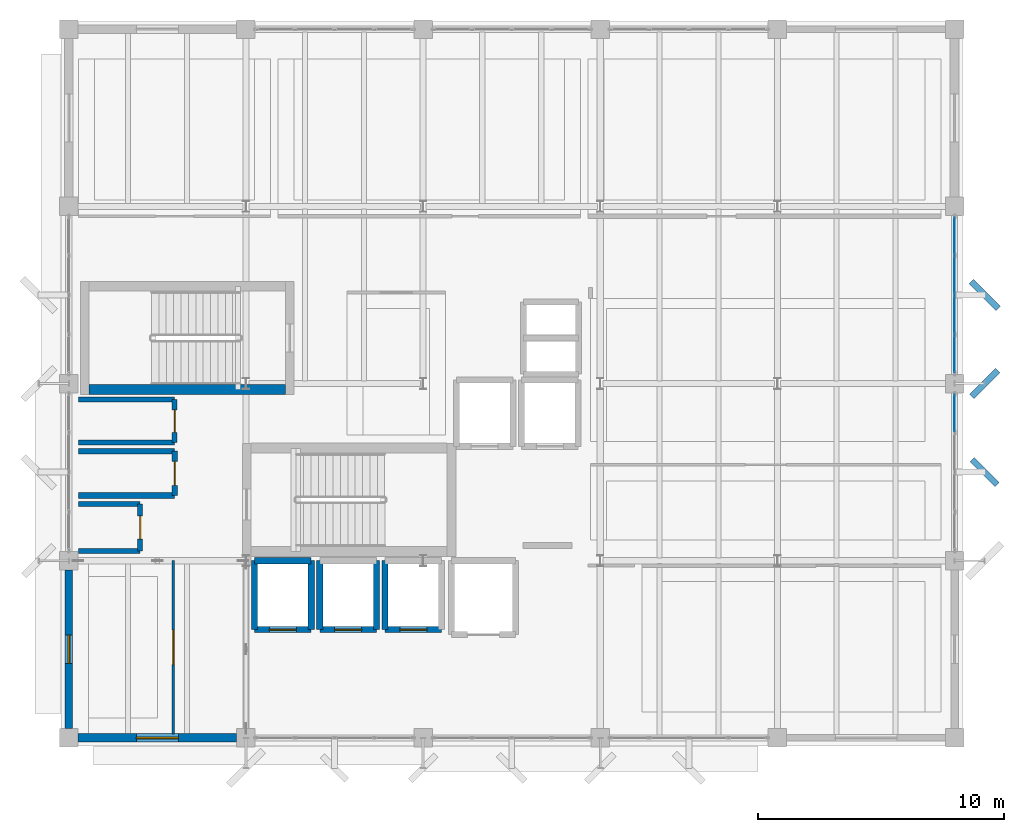
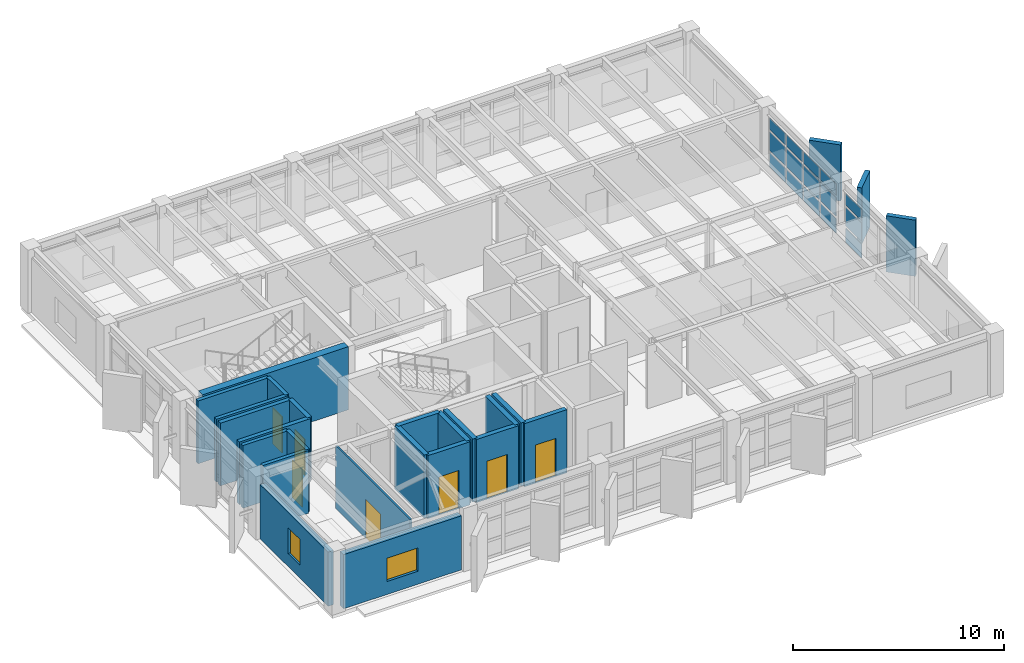
# One storey, part 16 of 24: 22 walls, 18 plates, 7 doors, 2 windows, 9 openings, 2 elements without a shape of their own.
"""IFC4 building model written with IfcOpenShell, lengths in metres."""

from ifc_helpers import new_model, si_unit, direction, frame, frame_2d, origin, origin_2d, place, context, subcontext, project, spatial, rectangle, extrude, material, layer, layer_set, type_object, element, fill, aggregate, save


model = new_model("IFC4")

# Units and contexts
model_context = context("Model", 3, precision=1e-05, world=origin(), true_north=direction((0.0, 1.0)))
body_context = subcontext(model_context, "Body", "Model", "MODEL_VIEW")
ifc_project = project(units=[si_unit("LENGTHUNIT", "METRE"), si_unit("AREAUNIT", "SQUARE_METRE"), si_unit("VOLUMEUNIT", "CUBIC_METRE"), si_unit("PLANEANGLEUNIT", "RADIAN"), si_unit("MASSUNIT", "GRAM", prefix="KILO")], contexts=[model_context])

# Site, building, storey
site_placement = place(None, origin())
site = spatial("IfcSite", under=ifc_project, at=site_placement, CompositionType="ELEMENT")
building_placement = place(site_placement, origin())
building = spatial("IfcBuilding", under=site, at=building_placement, Name="Kandorven Conservatory and Botanical Research Centre", CompositionType="ELEMENT")
storey_placement = place(building_placement, frame((0.0, 0.0, 24.89990234375)))
storey = spatial("IfcBuildingStorey", under=building, at=storey_placement, Name="L06", CompositionType="ELEMENT", Elevation=24.89990234375)

# Curtain wall, plates
ifc_material_1 = material(Name="Bronze anodised thermally broken aluminium", Category="aluminium")
ifc_layer_1 = layer(ifc_material_1, 0.179931640625)
ifc_layer_set_1 = layer_set([ifc_layer_1], Name="Bronze anodised thermally broken aluminium")
curtain_wall_type = type_object("IfcCurtainWallType", Name="CW_Unitised", PredefinedType="USERDEFINED", material=ifc_layer_set_1)
curtain_wall_1_placement = place(storey_placement, origin())
curtain_wall_1 = element("IfcCurtainWall", 1, at=curtain_wall_1_placement, inside=storey, type_object=curtain_wall_type, Name="Tower laboratory curtain wall CW-TWR-E-L06-2", ObjectType="UNITISED GLAZING", PredefinedType="USERDEFINED")
ifc_material_2 = material(Name="Double-glazed solar-control low-E glass", Category="glass")
ifc_layer_2 = layer(ifc_material_2, 0.028076171875)
ifc_layer_set_2 = layer_set([ifc_layer_2], Name="Double-glazed solar-control low-E glass")
plate_type_1 = type_object("IfcPlateType", Name="CW_Panel", PredefinedType="CURTAIN_PANEL", material=ifc_layer_set_2)
plate_1_placement = place(storey_placement, frame((42.0, 19.19873046875, 0.14990234375), z_axis=(0.0, 0.0, 1.0), x_axis=(0.0, 1.0, 0.0)))
plate_1 = element("IfcPlate", 2, at=plate_1_placement, type_object=plate_type_1, Name="CW-01 panel 4.1", PredefinedType="CURTAIN_PANEL", context=body_context, shape_type="SweptSolid", body=[
    extrude(rectangle(XDim=1.492431640625, YDim=0.028076171875, at=origin_2d()), origin(), (0.0, 0.0, 1.0), 0.824951171875),
])
plate_2_placement = place(storey_placement, frame((42.0, 19.19873046875, 1.125), z_axis=(0.0, 0.0, 1.0), x_axis=(0.0, 1.0, 0.0)))
plate_2 = element("IfcPlate", 3, at=plate_2_placement, type_object=plate_type_1, Name="CW-01 panel 4.2", PredefinedType="CURTAIN_PANEL", context=body_context, shape_type="SweptSolid", body=[
    extrude(rectangle(XDim=1.492431640625, YDim=0.028076171875, at=origin_2d()), origin(), (0.0, 0.0, 1.0), 1.050048828125),
])
plate_3_placement = place(storey_placement, frame((42.0, 19.19873046875, 2.3251953125), z_axis=(0.0, 0.0, 1.0), x_axis=(0.0, 1.0, 0.0)))
plate_3 = element("IfcPlate", 4, at=plate_3_placement, type_object=plate_type_1, Name="CW-01 panel 4.3", PredefinedType="CURTAIN_PANEL", context=body_context, shape_type="SweptSolid", body=[
    extrude(rectangle(XDim=1.492431640625, YDim=0.028076171875, at=origin_2d()), origin(), (0.0, 0.0, 1.0), 0.655029296875),
])
aggregate(curtain_wall_1, [plate_1, plate_2, plate_3])

curtain_wall_2_placement = place(storey_placement, origin())
curtain_wall_2 = element("IfcCurtainWall", 5, at=curtain_wall_2_placement, inside=storey, type_object=curtain_wall_type, Name="Tower laboratory curtain wall CW-TWR-E-L06-3", ObjectType="UNITISED GLAZING", PredefinedType="USERDEFINED")
plate_4_placement = place(storey_placement, frame((42.0, 21.601318359375, 0.14990234375), z_axis=(0.0, 0.0, 1.0), x_axis=(0.0, 1.0, 0.0)))
plate_4 = element("IfcPlate", 6, at=plate_4_placement, type_object=plate_type_1, Name="CW-01 panel 1.1", PredefinedType="CURTAIN_PANEL", context=body_context, shape_type="SweptSolid", body=[
    extrude(rectangle(XDim=1.492431640625, YDim=0.028076171875, at=origin_2d()), origin(), (0.0, 0.0, 1.0), 0.824951171875),
])
plate_5_placement = place(storey_placement, frame((42.0, 21.601318359375, 1.125), z_axis=(0.0, 0.0, 1.0), x_axis=(0.0, 1.0, 0.0)))
plate_5 = element("IfcPlate", 7, at=plate_5_placement, type_object=plate_type_1, Name="CW-01 panel 1.2", PredefinedType="CURTAIN_PANEL", context=body_context, shape_type="SweptSolid", body=[
    extrude(rectangle(XDim=1.492431640625, YDim=0.028076171875, at=origin_2d()), origin(), (0.0, 0.0, 1.0), 1.050048828125),
])
plate_6_placement = place(storey_placement, frame((42.0, 21.601318359375, 2.3251953125), z_axis=(0.0, 0.0, 1.0), x_axis=(0.0, 1.0, 0.0)))
plate_6 = element("IfcPlate", 8, at=plate_6_placement, type_object=plate_type_1, Name="CW-01 panel 1.3", PredefinedType="CURTAIN_PANEL", context=body_context, shape_type="SweptSolid", body=[
    extrude(rectangle(XDim=1.492431640625, YDim=0.028076171875, at=origin_2d()), origin(), (0.0, 0.0, 1.0), 0.655029296875),
])
plate_7_placement = place(storey_placement, frame((42.0, 23.19384765625, 0.14990234375), z_axis=(0.0, 0.0, 1.0), x_axis=(0.0, 1.0, 0.0)))
plate_7 = element("IfcPlate", 9, at=plate_7_placement, type_object=plate_type_1, Name="CW-01 panel 2.1", PredefinedType="CURTAIN_PANEL", context=body_context, shape_type="SweptSolid", body=[
    extrude(rectangle(XDim=1.532470703125, YDim=0.028076171875, at=origin_2d()), origin(), (0.0, 0.0, 1.0), 0.824951171875),
])
plate_8_placement = place(storey_placement, frame((42.0, 23.19384765625, 1.125), z_axis=(0.0, 0.0, 1.0), x_axis=(0.0, 1.0, 0.0)))
plate_8 = element("IfcPlate", 10, at=plate_8_placement, type_object=plate_type_1, Name="CW-01 panel 2.2", PredefinedType="CURTAIN_PANEL", context=body_context, shape_type="SweptSolid", body=[
    extrude(rectangle(XDim=1.532470703125, YDim=0.028076171875, at=origin_2d()), origin(), (0.0, 0.0, 1.0), 1.050048828125),
])
plate_9_placement = place(storey_placement, frame((42.0, 23.19384765625, 2.3251953125), z_axis=(0.0, 0.0, 1.0), x_axis=(0.0, 1.0, 0.0)))
plate_9 = element("IfcPlate", 11, at=plate_9_placement, type_object=plate_type_1, Name="CW-01 panel 2.3", PredefinedType="CURTAIN_PANEL", context=body_context, shape_type="SweptSolid", body=[
    extrude(rectangle(XDim=1.532470703125, YDim=0.028076171875, at=origin_2d()), origin(), (0.0, 0.0, 1.0), 0.655029296875),
])
plate_10_placement = place(storey_placement, frame((42.0, 24.80615234375, 0.14990234375), z_axis=(0.0, 0.0, 1.0), x_axis=(0.0, 1.0, 0.0)))
plate_10 = element("IfcPlate", 12, at=plate_10_placement, type_object=plate_type_1, Name="CW-01 panel 3.1", PredefinedType="CURTAIN_PANEL", context=body_context, shape_type="SweptSolid", body=[
    extrude(rectangle(XDim=1.532470703125, YDim=0.028076171875, at=origin_2d()), origin(), (0.0, 0.0, 1.0), 0.824951171875),
])
plate_11_placement = place(storey_placement, frame((42.0, 24.80615234375, 1.125), z_axis=(0.0, 0.0, 1.0), x_axis=(0.0, 1.0, 0.0)))
plate_11 = element("IfcPlate", 13, at=plate_11_placement, type_object=plate_type_1, Name="CW-01 panel 3.2", PredefinedType="CURTAIN_PANEL", context=body_context, shape_type="SweptSolid", body=[
    extrude(rectangle(XDim=1.532470703125, YDim=0.028076171875, at=origin_2d()), origin(), (0.0, 0.0, 1.0), 1.050048828125),
])
plate_12_placement = place(storey_placement, frame((42.0, 24.80615234375, 2.3251953125), z_axis=(0.0, 0.0, 1.0), x_axis=(0.0, 1.0, 0.0)))
plate_12 = element("IfcPlate", 14, at=plate_12_placement, type_object=plate_type_1, Name="CW-01 panel 3.3", PredefinedType="CURTAIN_PANEL", context=body_context, shape_type="SweptSolid", body=[
    extrude(rectangle(XDim=1.532470703125, YDim=0.028076171875, at=origin_2d()), origin(), (0.0, 0.0, 1.0), 0.655029296875),
])
plate_13_placement = place(storey_placement, frame((42.0, 26.398681640625, 0.14990234375), z_axis=(0.0, 0.0, 1.0), x_axis=(0.0, 1.0, 0.0)))
plate_13 = element("IfcPlate", 15, at=plate_13_placement, type_object=plate_type_1, Name="CW-01 panel 4.1", PredefinedType="CURTAIN_PANEL", context=body_context, shape_type="SweptSolid", body=[
    extrude(rectangle(XDim=1.492431640625, YDim=0.028076171875, at=origin_2d()), origin(), (0.0, 0.0, 1.0), 0.824951171875),
])
plate_14_placement = place(storey_placement, frame((42.0, 26.398681640625, 1.125), z_axis=(0.0, 0.0, 1.0), x_axis=(0.0, 1.0, 0.0)))
plate_14 = element("IfcPlate", 16, at=plate_14_placement, type_object=plate_type_1, Name="CW-01 panel 4.2", PredefinedType="CURTAIN_PANEL", context=body_context, shape_type="SweptSolid", body=[
    extrude(rectangle(XDim=1.492431640625, YDim=0.028076171875, at=origin_2d()), origin(), (0.0, 0.0, 1.0), 1.050048828125),
])
plate_15_placement = place(storey_placement, frame((42.0, 26.398681640625, 2.3251953125), z_axis=(0.0, 0.0, 1.0), x_axis=(0.0, 1.0, 0.0)))
plate_15 = element("IfcPlate", 17, at=plate_15_placement, type_object=plate_type_1, Name="CW-01 panel 4.3", PredefinedType="CURTAIN_PANEL", context=body_context, shape_type="SweptSolid", body=[
    extrude(rectangle(XDim=1.492431640625, YDim=0.028076171875, at=origin_2d()), origin(), (0.0, 0.0, 1.0), 0.655029296875),
])
aggregate(curtain_wall_2, [plate_4, plate_5, plate_6, plate_7, plate_8, plate_9, plate_10, plate_11, plate_12, plate_13, plate_14, plate_15])

# Plates
ifc_material_3 = material(Name="Precast concrete C40/50 (M50)", Category="concrete")
ifc_layer_3 = layer(ifc_material_3, 0.241943359375)
ifc_layer_set_3 = layer_set([ifc_layer_3], Name="Precast concrete C40/50 (M50)")
plate_type_2 = type_object("IfcPlateType", Name="Fin_BF-11", PredefinedType="USERDEFINED", material=ifc_layer_set_3)
plate_16_placement = place(storey_placement, frame((43.219970703125, 16.800048828125, -0.119873046875), z_axis=(0.0, 0.0, 1.0), x_axis=(-0.707106781187, 0.707106781187, 0.0)))
element("IfcPlate", 18, at=plate_16_placement, inside=storey, type_object=plate_type_2, Name="Sculpted board-marked concrete brise-soleil fin BF-11", ObjectType="SOLAR FIN", PredefinedType="USERDEFINED", context=body_context, shape_type="SweptSolid", body=[
    extrude(rectangle(XDim=1.429931640625, YDim=0.241943359375, at=origin_2d()), origin(), (0.0, 0.0, 1.0), 3.25),
])
ifc_material_4 = material(Name="Precast concrete C40/50 (M50)", Category="concrete")
ifc_layer_4 = layer(ifc_material_4, 0.248046875)
ifc_layer_set_4 = layer_set([ifc_layer_4], Name="Precast concrete C40/50 (M50)")
plate_type_3 = type_object("IfcPlateType", Name="Fin_BF-12", PredefinedType="USERDEFINED", material=ifc_layer_set_4)
plate_17_placement = place(storey_placement, frame((43.219970703125, 20.39990234375, -0.119873046875), z_axis=(0.0, 0.0, 1.0), x_axis=(0.707106781187, 0.707106781187, 0.0)))
element("IfcPlate", 19, at=plate_17_placement, inside=storey, type_object=plate_type_3, Name="Sculpted board-marked concrete brise-soleil fin BF-12", ObjectType="SOLAR FIN", PredefinedType="USERDEFINED", context=body_context, shape_type="SweptSolid", body=[
    extrude(rectangle(XDim=1.489990234375, YDim=0.248046875, at=origin_2d()), origin(), (0.0, 0.0, 1.0), 3.25),
])
ifc_material_5 = material(Name="Precast concrete C40/50 (M50)", Category="concrete")
ifc_layer_5 = layer(ifc_material_5, 0.251953125)
ifc_layer_set_5 = layer_set([ifc_layer_5], Name="Precast concrete C40/50 (M50)")
plate_type_4 = type_object("IfcPlateType", Name="Fin_BF-13", PredefinedType="USERDEFINED", material=ifc_layer_set_5)
plate_18_placement = place(storey_placement, frame((43.219970703125, 24.0, -0.119873046875), z_axis=(0.0, 0.0, 1.0), x_axis=(-0.707106781187, 0.707106781187, 0.0)))
element("IfcPlate", 20, at=plate_18_placement, inside=storey, type_object=plate_type_4, Name="Sculpted board-marked concrete brise-soleil fin BF-13", ObjectType="SOLAR FIN", PredefinedType="USERDEFINED", context=body_context, shape_type="SweptSolid", body=[
    extrude(rectangle(XDim=1.550048828125, YDim=0.251953125, at=origin_2d()), origin(), (0.0, 0.0, 1.0), 3.25),
])

# Wall
ifc_material_6 = material(Name="Concrete C40/50 (M50)", Category="concrete")
ifc_layer_6 = layer(ifc_material_6, 0.39990234375)
ifc_layer_set_6 = layer_set([ifc_layer_6], Name="Concrete C40/50 (M50)")
wall_type_1 = type_object("IfcWallType", Name="Wall_CW-RC-1", PredefinedType="SHEAR", material=ifc_layer_set_6)
wall_1_placement = place(storey_placement, frame((14.800048828125, 20.155029296875, 0.0), z_axis=(0.0, 0.0, 1.0), x_axis=(-1.0, 0.0, 0.0)))
element("IfcWall", 21, at=wall_1_placement, inside=storey, type_object=wall_type_1, Name="Core stair shear wall CW-RC-1 ST-T2 L06 side B", PredefinedType="SHEAR", context=body_context, shape_type="SweptSolid", body=[
    extrude(rectangle(XDim=7.97998046875, YDim=0.39990234375, at=frame_2d((3.989990234375, 0.0))), origin(), (0.0, 0.0, 1.0), 3.650146484375),
])

# Wall, opening, door
ifc_material_7 = material(Name="Concrete C40/50 (M50)", Category="concrete")
ifc_layer_7 = layer(ifc_material_7, 0.35009765625)
ifc_layer_set_7 = layer_set([ifc_layer_7], Name="Concrete C40/50 (M50)")
wall_type_2 = type_object("IfcWallType", Name="Wall_CW-RC-2", PredefinedType="SHEAR", material=ifc_layer_set_7)
wall_2_placement = place(storey_placement, frame((13.550048828125, 10.39990234375, 0.0), z_axis=(0.0, 0.0, 1.0), x_axis=(1.0, 0.0, 0.0)))
wall_2 = element("IfcWall", 22, at=wall_2_placement, inside=storey, type_object=wall_type_2, Name="Lift shaft wall PL-1 L06 S", PredefinedType="SHEAR", context=body_context, shape_type="SweptSolid", body=[
    extrude(rectangle(XDim=2.300048828125, YDim=0.25, at=frame_2d((1.14990234375, 0.0))), origin(), (0.0, 0.0, 1.0), 3.650146484375),
])
opening_1_placement = place(wall_2_placement, frame((0.60009765625, 0.0, 0.0)))
opening_1 = element("IfcOpeningElement", 23, at=opening_1_placement, cuts=wall_2, Name="Opening LD-01", PredefinedType="OPENING", context=body_context, shape_type="SweptSolid", body=[
    extrude(rectangle(XDim=1.10009765625, YDim=2.199951171875, at=frame_2d((0.550048828125, 1.10009765625))), frame((0.0, 0.135009765625, 0.0), z_axis=(0.0, -1.0, 0.0), x_axis=(1.0, 0.0, 0.0)), (0.0, 0.0, 1.0), 0.27001953125),
])
ifc_material_8 = material(Name="Anodised aluminium sliding landing door", Category="aluminium")
door_type_1 = type_object("IfcDoorType", Name="Door_LD-01", OperationType="DOUBLE_DOOR_SLIDING", PredefinedType="DOOR", material=ifc_material_8)
door_1_placement = place(opening_1_placement, origin())
door_1 = element("IfcDoor", 24, at=door_1_placement, inside=storey, type_object=door_type_1, Name="Lift landing sliding door LD-01 (PL-1 L06)", OperationType="DOUBLE_DOOR_SLIDING", OverallHeight=2.199951171875, OverallWidth=1.10009765625, PredefinedType="DOOR", context=body_context, shape_type="SweptSolid", body=[
    extrude(rectangle(XDim=1.10009765625, YDim=2.199951171875, at=frame_2d((0.550048828125, 1.10009765625))), frame((0.0, 0.02490234375, 0.0), z_axis=(0.0, -1.0, 0.0), x_axis=(1.0, 0.0, 0.0)), (0.0, 0.0, 1.0), 0.050048828125),
])
fill(opening_1, door_1)

# Walls
wall_3_placement = place(storey_placement, frame((13.550048828125, 13.199951171875, 0.0), z_axis=(0.0, 0.0, 1.0), x_axis=(1.0, 0.0, 0.0)))
element("IfcWall", 25, at=wall_3_placement, inside=storey, type_object=wall_type_2, Name="Lift shaft wall PL-1 L06 N", PredefinedType="SHEAR", context=body_context, shape_type="SweptSolid", body=[
    extrude(rectangle(XDim=2.300048828125, YDim=0.25, at=frame_2d((1.14990234375, 0.0))), origin(), (0.0, 0.0, 1.0), 3.650146484375),
])
for number, where, z_axis, x_axis, name in (
    (26, (13.550048828125, 10.39990234375, 0.0), (0.0, 0.0, 1.0), (0.0, 1.0, 0.0), "Lift shaft wall PL-1 L06 W"),
    (27, (15.85009765625, 10.39990234375, 0.0), (0.0, 0.0, 1.0), (0.0, 1.0, 0.0), "Lift shaft wall PL-1 L06 E"),
):
    element("IfcWall", number, at=place(storey_placement, frame(where, z_axis=z_axis, x_axis=x_axis)), inside=storey, type_object=wall_type_2, Name=name, PredefinedType="SHEAR", context=body_context, shape_type="SweptSolid", body=[
        extrude(rectangle(XDim=2.800048828125, YDim=0.25, at=frame_2d((1.39990234375, 0.0))), origin(), (0.0, 0.0, 1.0), 3.650146484375),
    ])

# Wall, opening, door
wall_4_placement = place(storey_placement, frame((16.199951171875, 10.39990234375, 0.0), z_axis=(0.0, 0.0, 1.0), x_axis=(1.0, 0.0, 0.0)))
wall_4 = element("IfcWall", 28, at=wall_4_placement, inside=storey, type_object=wall_type_2, Name="Lift shaft wall PL-2 L06 S", PredefinedType="SHEAR", context=body_context, shape_type="SweptSolid", body=[
    extrude(rectangle(XDim=2.300048828125, YDim=0.25, at=frame_2d((1.14990234375, 0.0))), origin(), (0.0, 0.0, 1.0), 3.650146484375),
])
opening_2_placement = place(wall_4_placement, frame((0.60009765625, 0.0, 0.0)))
opening_2 = element("IfcOpeningElement", 29, at=opening_2_placement, cuts=wall_4, Name="Opening LD-01", PredefinedType="OPENING", context=body_context, shape_type="SweptSolid", body=[
    extrude(rectangle(XDim=1.10009765625, YDim=2.199951171875, at=frame_2d((0.550048828125, 1.10009765625))), frame((0.0, 0.135009765625, 0.0), z_axis=(0.0, -1.0, 0.0), x_axis=(1.0, 0.0, 0.0)), (0.0, 0.0, 1.0), 0.27001953125),
])
door_2_placement = place(opening_2_placement, origin())
door_2 = element("IfcDoor", 30, at=door_2_placement, inside=storey, type_object=door_type_1, Name="Lift landing sliding door LD-01 (PL-2 L06)", OperationType="DOUBLE_DOOR_SLIDING", OverallHeight=2.199951171875, OverallWidth=1.10009765625, PredefinedType="DOOR", context=body_context, shape_type="SweptSolid", body=[
    extrude(rectangle(XDim=1.10009765625, YDim=2.199951171875, at=frame_2d((0.550048828125, 1.10009765625))), frame((0.0, 0.02490234375, 0.0), z_axis=(0.0, -1.0, 0.0), x_axis=(1.0, 0.0, 0.0)), (0.0, 0.0, 1.0), 0.050048828125),
])
fill(opening_2, door_2)

# Walls
for number, where, z_axis, x_axis, name in (
    (31, (16.199951171875, 10.39990234375, 0.0), (0.0, 0.0, 1.0), (0.0, 1.0, 0.0), "Lift shaft wall PL-2 L06 W"),
    (32, (18.5, 10.39990234375, 0.0), (0.0, 0.0, 1.0), (0.0, 1.0, 0.0), "Lift shaft wall PL-2 L06 E"),
):
    element("IfcWall", number, at=place(storey_placement, frame(where, z_axis=z_axis, x_axis=x_axis)), inside=storey, type_object=wall_type_2, Name=name, PredefinedType="SHEAR", context=body_context, shape_type="SweptSolid", body=[
        extrude(rectangle(XDim=2.800048828125, YDim=0.25, at=frame_2d((1.39990234375, 0.0))), origin(), (0.0, 0.0, 1.0), 3.650146484375),
    ])

# Wall, opening, door
wall_5_placement = place(storey_placement, frame((18.85009765625, 10.39990234375, 0.0), z_axis=(0.0, 0.0, 1.0), x_axis=(1.0, 0.0, 0.0)))
wall_5 = element("IfcWall", 33, at=wall_5_placement, inside=storey, type_object=wall_type_2, Name="Lift shaft wall PL-3 L06 S", PredefinedType="SHEAR", context=body_context, shape_type="SweptSolid", body=[
    extrude(rectangle(XDim=2.2998046875, YDim=0.25, at=frame_2d((1.14990234375, 0.0))), origin(), (0.0, 0.0, 1.0), 3.650146484375),
])
opening_3_placement = place(wall_5_placement, frame((0.60009765625, 0.0, 0.0)))
opening_3 = element("IfcOpeningElement", 34, at=opening_3_placement, cuts=wall_5, Name="Opening LD-01", PredefinedType="OPENING", context=body_context, shape_type="SweptSolid", body=[
    extrude(rectangle(XDim=1.10009765625, YDim=2.199951171875, at=frame_2d((0.550048828125, 1.10009765625))), frame((0.0, 0.135009765625, 0.0), z_axis=(0.0, -1.0, 0.0), x_axis=(1.0, 0.0, 0.0)), (0.0, 0.0, 1.0), 0.27001953125),
])
door_3_placement = place(opening_3_placement, origin())
door_3 = element("IfcDoor", 35, at=door_3_placement, inside=storey, type_object=door_type_1, Name="Lift landing sliding door LD-01 (PL-3 L06)", OperationType="DOUBLE_DOOR_SLIDING", OverallHeight=2.199951171875, OverallWidth=1.10009765625, PredefinedType="DOOR", context=body_context, shape_type="SweptSolid", body=[
    extrude(rectangle(XDim=1.10009765625, YDim=2.199951171875, at=frame_2d((0.550048828125, 1.10009765625))), frame((0.0, 0.02490234375, 0.0), z_axis=(0.0, -1.0, 0.0), x_axis=(1.0, 0.0, 0.0)), (0.0, 0.0, 1.0), 0.050048828125),
])
fill(opening_3, door_3)

# Wall
wall_6_placement = place(storey_placement, frame((18.85009765625, 10.39990234375, 0.0), z_axis=(0.0, 0.0, 1.0), x_axis=(0.0, 1.0, 0.0)))
element("IfcWall", 36, at=wall_6_placement, inside=storey, type_object=wall_type_2, Name="Lift shaft wall PL-3 L06 W", PredefinedType="SHEAR", context=body_context, shape_type="SweptSolid", body=[
    extrude(rectangle(XDim=2.800048828125, YDim=0.25, at=frame_2d((1.39990234375, 0.0))), origin(), (0.0, 0.0, 1.0), 3.650146484375),
])

# Wall, opening, window
ifc_material_9 = material(Name="Concrete C32/40 (M40)", Category="concrete")
ifc_layer_8 = layer(ifc_material_9, 0.340087890625)
ifc_layer_set_8 = layer_set([ifc_layer_8], Name="Concrete C32/40 (M40)")
wall_type_3 = type_object("IfcWallType", Name="Wall_EW-02", PredefinedType="STANDARD", material=ifc_layer_set_8)
wall_7_placement = place(storey_placement, frame((6.375, 6.0, 0.0), z_axis=(0.0, 0.0, 1.0), x_axis=(1.0, 0.0, 0.0)))
wall_7 = element("IfcWall", 37, at=wall_7_placement, inside=storey, type_object=wall_type_3, Name="Tower concrete facade wall EW-02 S L06", PredefinedType="STANDARD", context=body_context, shape_type="SweptSolid", body=[
    extrude(rectangle(XDim=6.449951171875, YDim=0.340087890625, at=frame_2d((3.22509765625, 0.0))), origin(), (0.0, 0.0, 1.0), 3.130126953125),
])
opening_4_placement = place(wall_7_placement, frame((2.375, 0.0, 0.75)))
opening_4 = element("IfcOpeningElement", 38, at=opening_4_placement, cuts=wall_7, Name="Opening W-34", PredefinedType="OPENING", context=body_context, shape_type="SweptSolid", body=[
    extrude(rectangle(XDim=1.699951171875, YDim=1.35009765625, at=frame_2d((0.85009765625, 0.675048828125))), frame((0.0, 0.179931640625, 0.0), z_axis=(0.0, -1.0, 0.0), x_axis=(1.0, 0.0, 0.0)), (0.0, 0.0, 1.0), 0.360107421875),
])
ifc_material_10 = material(Name="Double-glazed solar-control low-E glass", Category="glass")
window_type_1 = type_object("IfcWindowType", Name="Win_W-34", PartitioningType="DOUBLE_PANEL_VERTICAL", PredefinedType="WINDOW", material=ifc_material_10)
window_1_placement = place(opening_4_placement, origin())
window_1 = element("IfcWindow", 39, at=window_1_placement, inside=storey, type_object=window_type_1, Name="Tower recessed solar window W-34", OverallHeight=1.35009765625, OverallWidth=1.699951171875, PartitioningType="SINGLE_PANEL", PredefinedType="WINDOW", context=body_context, shape_type="SweptSolid", body=[
    extrude(rectangle(XDim=1.699951171875, YDim=1.35009765625, at=frame_2d((0.85009765625, 0.675048828125))), frame((0.0, 0.030029296875, 0.0), z_axis=(0.0, -1.0, 0.0), x_axis=(1.0, 0.0, 0.0)), (0.0, 0.0, 1.0), 0.06005859375),
])
fill(opening_4, window_1)

ifc_material_11 = material(Name="Concrete C32/40 (M40)", Category="concrete")
ifc_layer_9 = layer(ifc_material_11, 0.300048828125)
ifc_layer_set_9 = layer_set([ifc_layer_9], Name="Concrete C32/40 (M40)")
wall_type_4 = type_object("IfcWallType", Name="Wall_EW-04", PredefinedType="STANDARD", material=ifc_layer_set_9)
wall_8_placement = place(storey_placement, frame((6.0, 6.375, 0.0), z_axis=(0.0, 0.0, 1.0), x_axis=(0.0, 1.0, 0.0)))
wall_8 = element("IfcWall", 40, at=wall_8_placement, inside=storey, type_object=wall_type_4, Name="Tower concrete facade wall EW-04 W L06", PredefinedType="STANDARD", context=body_context, shape_type="SweptSolid", body=[
    extrude(rectangle(XDim=6.449951171875, YDim=0.300048828125, at=frame_2d((3.22509765625, 0.0))), origin(), (0.0, 0.0, 1.0), 3.130126953125),
])
opening_5_placement = place(wall_8_placement, frame((2.64990234375, 0.0, 0.75)))
opening_5 = element("IfcOpeningElement", 41, at=opening_5_placement, cuts=wall_8, Name="Opening W-39", PredefinedType="OPENING", context=body_context, shape_type="SweptSolid", body=[
    extrude(rectangle(XDim=1.14990234375, YDim=1.5, at=frame_2d((0.574951171875, 0.75))), frame((0.0, 0.159912109375, 0.0), z_axis=(0.0, -1.0, 0.0), x_axis=(1.0, 0.0, 0.0)), (0.0, 0.0, 1.0), 0.320068359375),
])
ifc_material_12 = material(Name="Double-glazed solar-control low-E glass", Category="glass")
window_type_2 = type_object("IfcWindowType", Name="Win_W-39", PartitioningType="DOUBLE_PANEL_VERTICAL", PredefinedType="WINDOW", material=ifc_material_12)
window_2_placement = place(opening_5_placement, origin())
window_2 = element("IfcWindow", 42, at=window_2_placement, inside=storey, type_object=window_type_2, Name="Tower recessed solar window W-39", OverallHeight=1.5, OverallWidth=1.14990234375, PartitioningType="SINGLE_PANEL", PredefinedType="WINDOW", context=body_context, shape_type="SweptSolid", body=[
    extrude(rectangle(XDim=1.14990234375, YDim=1.5, at=frame_2d((0.574951171875, 0.75))), frame((0.0, 0.030029296875, 0.0), z_axis=(0.0, -1.0, 0.0), x_axis=(1.0, 0.0, 0.0)), (0.0, 0.0, 1.0), 0.06005859375),
])
fill(opening_5, window_2)

# Wall, opening, door
ifc_material_13 = material(Name="Fire-rated acoustic gypsum board partition", Category="gypsum")
ifc_layer_10 = layer(ifc_material_13, 0.10009765625)
ifc_layer_set_10 = layer_set([ifc_layer_10], Name="Fire-rated acoustic gypsum board partition")
wall_type_5 = type_object("IfcWallType", Name="Wall_IW-10", PredefinedType="PARTITIONING", material=ifc_layer_set_10)
wall_9_placement = place(storey_placement, frame((10.25, 6.14990234375, 0.0), z_axis=(0.0, 0.0, 1.0), x_axis=(0.0, 1.0, 0.0)))
wall_9 = element("IfcWall", 43, at=wall_9_placement, inside=storey, type_object=wall_type_5, Name="Interior partition wall IW-10 (Botanical Chemotaxonomy Research Laboratory L06)", PredefinedType="PARTITIONING", context=body_context, shape_type="SweptSolid", body=[
    extrude(rectangle(XDim=7.050048828125, YDim=0.10009765625, at=frame_2d((3.52490234375, 0.0))), origin(), (0.0, 0.0, 1.0), 3.630126953125),
])
opening_6_placement = place(wall_9_placement, frame((2.824951171875, 0.0, 0.0)))
opening_6 = element("IfcOpeningElement", 44, at=opening_6_placement, cuts=wall_9, Name="Opening D-07", PredefinedType="OPENING", context=body_context, shape_type="SweptSolid", body=[
    extrude(rectangle(XDim=1.39990234375, YDim=2.25, at=frame_2d((0.699951171875, 1.125))), frame((0.0, 0.06005859375, 0.0), z_axis=(0.0, -1.0, 0.0), x_axis=(1.0, 0.0, 0.0)), (0.0, 0.0, 1.0), 0.1201171875),
])
ifc_material_14 = material(Name="Solid core acoustic teak-veneered timber leaf", Category="wood")
door_type_2 = type_object("IfcDoorType", Name="Door_D-07", OperationType="NOTDEFINED", PredefinedType="DOOR", material=ifc_material_14)
door_4_placement = place(opening_6_placement, origin())
door_4 = element("IfcDoor", 45, at=door_4_placement, inside=storey, type_object=door_type_2, Name="Interior door D-07 to Botanical Chemotaxonomy Research Laboratory L06", OperationType="SINGLE_SWING_LEFT", OverallHeight=2.25, OverallWidth=1.39990234375, PredefinedType="DOOR", context=body_context, shape_type="SweptSolid", body=[
    extrude(rectangle(XDim=1.39990234375, YDim=2.25, at=frame_2d((0.699951171875, 1.125))), frame((0.0, 0.02490234375, 0.0), z_axis=(0.0, -1.0, 0.0), x_axis=(1.0, 0.0, 0.0)), (0.0, 0.0, 1.0), 0.050048828125),
])
fill(opening_6, door_4)

ifc_material_15 = material(Name="Autoclaved aerated concrete blockwork masonry", Category="masonry")
ifc_layer_11 = layer(ifc_material_15, 0.22998046875)
ifc_layer_set_11 = layer_set([ifc_layer_11], Name="Autoclaved aerated concrete blockwork masonry")
wall_type_6 = type_object("IfcWallType", Name="Wall_PW-PL-1", PredefinedType="PLUMBINGWALL", material=ifc_layer_set_11)
wall_10_placement = place(storey_placement, frame((10.300048828125, 15.85009765625, 0.0), z_axis=(0.0, 0.0, 1.0), x_axis=(0.0, 1.0, 0.0)))
wall_10 = element("IfcWall", 46, at=wall_10_placement, inside=storey, type_object=wall_type_6, Name="Interior partition wall PW-PL-1 (Staff Female WC L06)", PredefinedType="PLUMBINGWALL", context=body_context, shape_type="SweptSolid", body=[
    extrude(rectangle(XDim=1.7998046875, YDim=0.22998046875, at=frame_2d((0.89990234375, 0.0))), origin(), (0.0, 0.0, 1.0), 3.630126953125),
])
opening_7_placement = place(wall_10_placement, frame((0.409912109375, 0.0, 0.0)))
opening_7 = element("IfcOpeningElement", 47, at=opening_7_placement, cuts=wall_10, Name="Opening D-12", PredefinedType="OPENING", context=body_context, shape_type="SweptSolid", body=[
    extrude(rectangle(XDim=0.97998046875, YDim=2.10009765625, at=frame_2d((0.489990234375, 1.050048828125))), frame((0.0, 0.125, 0.0), z_axis=(0.0, -1.0, 0.0), x_axis=(1.0, 0.0, 0.0)), (0.0, 0.0, 1.0), 0.25),
])
ifc_material_16 = material(Name="Solid core acoustic teak-veneered timber leaf", Category="wood")
door_type_3 = type_object("IfcDoorType", Name="Door_D-12", OperationType="NOTDEFINED", PredefinedType="DOOR", material=ifc_material_16)
door_5_placement = place(opening_7_placement, origin())
door_5 = element("IfcDoor", 48, at=door_5_placement, inside=storey, type_object=door_type_3, Name="Interior door D-12 to Staff Female WC L06", OperationType="SINGLE_SWING_RIGHT", OverallHeight=2.10009765625, OverallWidth=0.97998046875, PredefinedType="DOOR", context=body_context, shape_type="SweptSolid", body=[
    extrude(rectangle(XDim=0.97998046875, YDim=2.10009765625, at=frame_2d((0.489990234375, 1.050048828125))), frame((0.0, 0.02490234375, 0.0), z_axis=(0.0, -1.0, 0.0), x_axis=(1.0, 0.0, 0.0)), (0.0, 0.0, 1.0), 0.050048828125),
])
fill(opening_7, door_5)

# Walls
for number, where, z_axis, x_axis, name in (
    (49, (6.39990234375, 15.85009765625, 0.0), (0.0, 0.0, 1.0), (1.0, 0.0, 0.0), "Sanitary enclosure wall PW-PL-1 (Staff Female WC L06 S)"),
    (50, (6.39990234375, 17.64990234375, 0.0), (0.0, 0.0, 1.0), (1.0, 0.0, 0.0), "Sanitary enclosure wall PW-PL-1 (Staff Female WC L06 N)"),
):
    element("IfcWall", number, at=place(storey_placement, frame(where, z_axis=z_axis, x_axis=x_axis)), inside=storey, type_object=wall_type_6, Name=name, PredefinedType="PLUMBINGWALL", context=body_context, shape_type="SweptSolid", body=[
        extrude(rectangle(XDim=3.900146484375, YDim=0.22998046875, at=frame_2d((1.9501953125, 0.0))), origin(), (0.0, 0.0, 1.0), 3.630126953125),
    ])

# Wall, opening, door
ifc_material_17 = material(Name="Autoclaved aerated concrete blockwork masonry", Category="masonry")
ifc_layer_12 = layer(ifc_material_17, 0.205078125)
ifc_layer_set_12 = layer_set([ifc_layer_12], Name="Autoclaved aerated concrete blockwork masonry")
wall_type_7 = type_object("IfcWallType", Name="Wall_PW-PL-2", PredefinedType="PLUMBINGWALL", material=ifc_layer_set_12)
wall_11_placement = place(storey_placement, frame((8.89990234375, 13.60009765625, 0.0), z_axis=(0.0, 0.0, 1.0), x_axis=(0.0, 1.0, 0.0)))
wall_11 = element("IfcWall", 51, at=wall_11_placement, inside=storey, type_object=wall_type_7, Name="Interior partition wall PW-PL-2 (Accessible WC L06)", PredefinedType="PLUMBINGWALL", context=body_context, shape_type="SweptSolid", body=[
    extrude(rectangle(XDim=1.89990234375, YDim=0.205078125, at=frame_2d((0.949951171875, 0.0))), origin(), (0.0, 0.0, 1.0), 3.630126953125),
])
opening_8_placement = place(wall_11_placement, frame((0.47509765625, 0.0, 0.0)))
opening_8 = element("IfcOpeningElement", 52, at=opening_8_placement, cuts=wall_11, Name="Opening D-01", PredefinedType="OPENING", context=body_context, shape_type="SweptSolid", body=[
    extrude(rectangle(XDim=0.949951171875, YDim=2.14990234375, at=frame_2d((0.47509765625, 1.074951171875))), frame((0.0, 0.112548828125, 0.0), z_axis=(0.0, -1.0, 0.0), x_axis=(1.0, 0.0, 0.0)), (0.0, 0.0, 1.0), 0.22509765625),
])
ifc_material_18 = material(Name="Solid core acoustic teak-veneered timber leaf", Category="wood")
door_type_4 = type_object("IfcDoorType", Name="Door_D-01", OperationType="NOTDEFINED", PredefinedType="DOOR", material=ifc_material_18)
door_6_placement = place(opening_8_placement, frame((0.949951171875, 0.0, 0.0), z_axis=(0.0, 0.0, 1.0), x_axis=(-1.0, 0.0, 0.0)))
door_6 = element("IfcDoor", 53, at=door_6_placement, inside=storey, type_object=door_type_4, Name="Interior door D-01 to Accessible WC L06", OperationType="SINGLE_SWING_LEFT", OverallHeight=2.14990234375, OverallWidth=0.949951171875, PredefinedType="DOOR", context=body_context, shape_type="SweptSolid", body=[
    extrude(rectangle(XDim=0.949951171875, YDim=2.14990234375, at=frame_2d((0.47509765625, 1.074951171875))), frame((0.0, 0.02490234375, 0.0), z_axis=(0.0, -1.0, 0.0), x_axis=(1.0, 0.0, 0.0)), (0.0, 0.0, 1.0), 0.050048828125),
])
fill(opening_8, door_6)

# Walls
for number, where, z_axis, x_axis, name in (
    (54, (6.39990234375, 13.60009765625, 0.0), (0.0, 0.0, 1.0), (1.0, 0.0, 0.0), "Sanitary enclosure wall PW-PL-2 (Accessible WC L06 S)"),
    (55, (6.39990234375, 15.5, 0.0), (0.0, 0.0, 1.0), (1.0, 0.0, 0.0), "Sanitary enclosure wall PW-PL-2 (Accessible WC L06 N)"),
):
    element("IfcWall", number, at=place(storey_placement, frame(where, z_axis=z_axis, x_axis=x_axis)), inside=storey, type_object=wall_type_7, Name=name, PredefinedType="PLUMBINGWALL", context=body_context, shape_type="SweptSolid", body=[
        extrude(rectangle(XDim=2.5, YDim=0.205078125, at=frame_2d((1.25, 0.0))), origin(), (0.0, 0.0, 1.0), 3.630126953125),
    ])

# Wall, opening, door
wall_12_placement = place(storey_placement, frame((10.300048828125, 18.0, 0.0), z_axis=(0.0, 0.0, 1.0), x_axis=(0.0, 1.0, 0.0)))
wall_12 = element("IfcWall", 56, at=wall_12_placement, inside=storey, type_object=wall_type_7, Name="Interior partition wall PW-PL-2 (Staff Male WC L06)", PredefinedType="PLUMBINGWALL", context=body_context, shape_type="SweptSolid", body=[
    extrude(rectangle(XDim=1.75, YDim=0.205078125, at=frame_2d((0.875, 0.0))), origin(), (0.0, 0.0, 1.0), 3.630126953125),
])
opening_9_placement = place(wall_12_placement, frame((0.4150390625, 0.0, 0.0)))
opening_9 = element("IfcOpeningElement", 57, at=opening_9_placement, cuts=wall_12, Name="Opening D-11", PredefinedType="OPENING", context=body_context, shape_type="SweptSolid", body=[
    extrude(rectangle(XDim=0.919921875, YDim=2.10009765625, at=frame_2d((0.4599609375, 1.050048828125))), frame((0.0, 0.112548828125, 0.0), z_axis=(0.0, -1.0, 0.0), x_axis=(1.0, 0.0, 0.0)), (0.0, 0.0, 1.0), 0.22509765625),
])
ifc_material_19 = material(Name="Solid core acoustic teak-veneered timber leaf", Category="wood")
door_type_5 = type_object("IfcDoorType", Name="Door_D-11", OperationType="NOTDEFINED", PredefinedType="DOOR", material=ifc_material_19)
door_7_placement = place(opening_9_placement, origin())
door_7 = element("IfcDoor", 58, at=door_7_placement, inside=storey, type_object=door_type_5, Name="Interior door D-11 to Staff Male WC L06", OperationType="SINGLE_SWING_LEFT", OverallHeight=2.10009765625, OverallWidth=0.919921875, PredefinedType="DOOR", context=body_context, shape_type="SweptSolid", body=[
    extrude(rectangle(XDim=0.919921875, YDim=2.10009765625, at=frame_2d((0.4599609375, 1.050048828125))), frame((0.0, 0.02490234375, 0.0), z_axis=(0.0, -1.0, 0.0), x_axis=(1.0, 0.0, 0.0)), (0.0, 0.0, 1.0), 0.050048828125),
])
fill(opening_9, door_7)

# Walls
for number, where, z_axis, x_axis, name in (
    (59, (6.39990234375, 18.0, 0.0), (0.0, 0.0, 1.0), (1.0, 0.0, 0.0), "Sanitary enclosure wall PW-PL-2 (Staff Male WC L06 S)"),
    (60, (6.39990234375, 19.75, 0.0), (0.0, 0.0, 1.0), (1.0, 0.0, 0.0), "Sanitary enclosure wall PW-PL-2 (Staff Male WC L06 N)"),
):
    element("IfcWall", number, at=place(storey_placement, frame(where, z_axis=z_axis, x_axis=x_axis)), inside=storey, type_object=wall_type_7, Name=name, PredefinedType="PLUMBINGWALL", context=body_context, shape_type="SweptSolid", body=[
        extrude(rectangle(XDim=3.900146484375, YDim=0.205078125, at=frame_2d((1.9501953125, 0.0))), origin(), (0.0, 0.0, 1.0), 3.630126953125),
    ])

save(model, "model.ifc")
